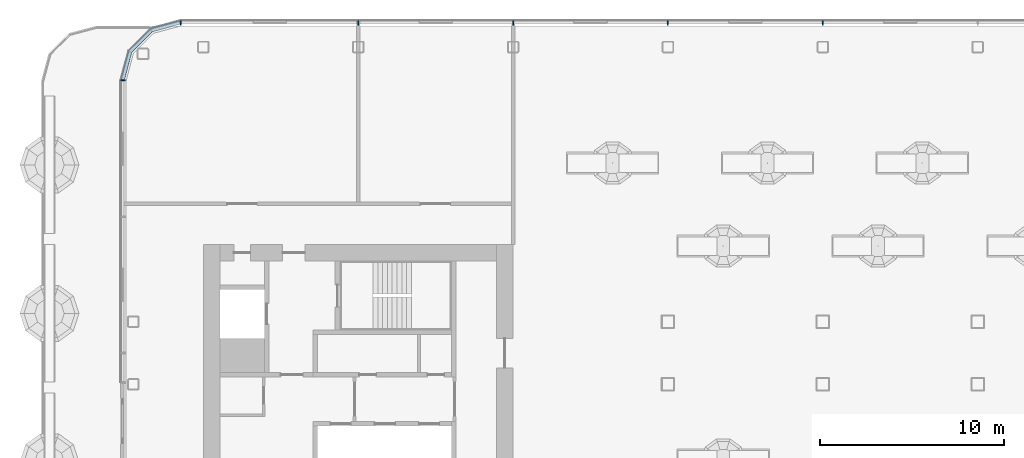
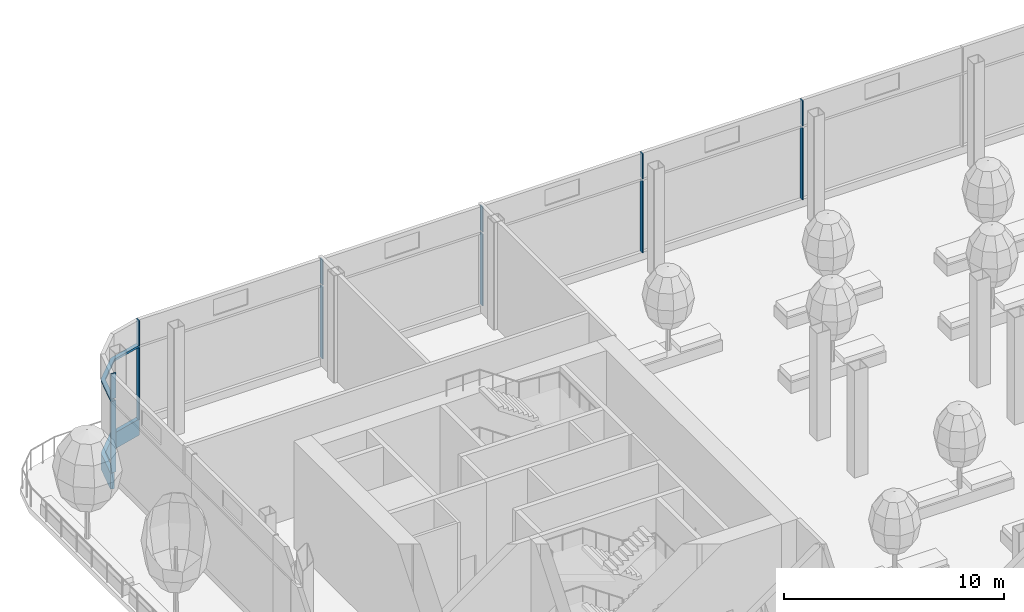
# One storey, part 5 of 41: 14 members, 3 elements without a shape of their own.
"""IFC4 building model written with IfcOpenShell, lengths in metres."""

from ifc_helpers import new_model, si_unit, direction, frame, origin, origin_2d, place, context, subcontext, project, spatial, polyline, rectangle, outline, extrude, material, layer, layer_set, material_profile, profile_set, type_object, element, aggregate, save


model = new_model("IFC4")

# Units and contexts
model_context = context("Model", 3, precision=1e-05, world=origin(), true_north=direction((0.0, 1.0)))
body_context = subcontext(model_context, "Body", "Model", "MODEL_VIEW")
ifc_project = project(units=[si_unit("LENGTHUNIT", "METRE"), si_unit("AREAUNIT", "SQUARE_METRE"), si_unit("VOLUMEUNIT", "CUBIC_METRE"), si_unit("PLANEANGLEUNIT", "RADIAN"), si_unit("MASSUNIT", "GRAM", prefix="KILO")], contexts=[model_context])

# Site, building, storey
site_placement = place(None, origin())
site = spatial("IfcSite", under=ifc_project, at=site_placement, CompositionType="ELEMENT")
building_placement = place(site_placement, origin())
building = spatial("IfcBuilding", under=site, at=building_placement, Name="Hakoniwa Tower and Hamabe Station Hall", CompositionType="ELEMENT")
storey_placement = place(building_placement, frame((0.0, 0.0, 180.199951171875)))
storey = spatial("IfcBuildingStorey", under=building, at=storey_placement, Name="L51", CompositionType="ELEMENT", Elevation=180.199951171875)

# Curtain wall, members
ifc_material_1 = material(Name="Dark low-e laminated glass", Category="glass")
ifc_layer = layer(ifc_material_1, 0.199951171875)
ifc_layer_set = layer_set([ifc_layer], Name="CW-2 SKY GARDEN")
curtain_wall_type = type_object("IfcCurtainWallType", Name="CW-2 SKY GARDEN", PredefinedType="NOTDEFINED", material=ifc_layer_set)
curtain_wall_1_placement = place(storey_placement, origin())
curtain_wall_1 = element("IfcCurtainWall", 1, at=curtain_wall_1_placement, inside=storey, type_object=curtain_wall_type, Name="CW-2 curtain wall", PredefinedType="NOTDEFINED")
ifc_material_2 = material(Name="Aluminium 6063-T5 black anodised", Category="aluminium")
ifc_material_profile_1 = material_profile(ifc_material_2, rectangle(XDim=0.199951171875, YDim=0.1201171875, at=origin_2d()), Name="CW MID TRANSOM 120X200")
ifc_profile_set_1 = profile_set([ifc_material_profile_1], Name="Aluminium 6063-T5 black anodised")
member_type_1 = type_object("IfcMemberType", Name="CW MID TRANSOM 120X200", PredefinedType="USERDEFINED", material=ifc_profile_set_1)
member_1_placement = place(storey_placement, frame((0.0, 0.0, 4.330078125)))
member_1 = element("IfcMember", 2, at=member_1_placement, type_object=member_type_1, Name="CW-2 transom", ObjectType="TRANSOM", PredefinedType="USERDEFINED", context=body_context, shape_type="SweptSolid", body=[
    extrude(outline(polyline([(-34.839599609375, 20.550048828125), (-36.455322265625, 20.116943359375), (-37.6669921875, 18.9052734375), (-38.10009765625, 17.28955078125), (-37.90673828125, 17.23779296875), (-37.48779296875, 18.8017578125), (-36.351806640625, 19.937744140625), (-34.787841796875, 20.35693359375), (-34.839599609375, 20.550048828125)])), origin(), (0.0, 0.0, 1.0), 0.119873046875),
])
ifc_material_3 = material(Name="Aluminium 6063-T5 black anodised", Category="aluminium")
ifc_material_profile_2 = material_profile(ifc_material_3, rectangle(XDim=0.199951171875, YDim=0.89990234375, at=origin_2d()), Name="CW SLAB-EDGE BAND 900X200")
ifc_profile_set_2 = profile_set([ifc_material_profile_2], Name="Aluminium 6063-T5 black anodised")
member_type_2 = type_object("IfcMemberType", Name="CW SLAB-EDGE BAND 900X200", PredefinedType="USERDEFINED", material=ifc_profile_set_2)
member_2_placement = place(storey_placement, frame((0.0, 0.0, -0.550048828125)))
member_2 = element("IfcMember", 3, at=member_2_placement, type_object=member_type_2, Name="CW-2 transom", ObjectType="TRANSOM", PredefinedType="USERDEFINED", context=body_context, shape_type="SweptSolid", body=[
    extrude(outline(polyline([(-34.839599609375, 20.550048828125), (-36.455322265625, 20.116943359375), (-37.6669921875, 18.9052734375), (-38.10009765625, 17.28955078125), (-37.90673828125, 17.23779296875), (-37.48779296875, 18.8017578125), (-36.351806640625, 19.937744140625), (-34.787841796875, 20.35693359375), (-34.839599609375, 20.550048828125)])), origin(), (0.0, 0.0, 1.0), 0.900146484375),
])
aggregate(curtain_wall_1, [member_2, member_1])

curtain_wall_2_placement = place(storey_placement, origin())
curtain_wall_2 = element("IfcCurtainWall", 4, at=curtain_wall_2_placement, inside=storey, type_object=curtain_wall_type, Name="CW-2 curtain wall", PredefinedType="NOTDEFINED")
ifc_material_4 = material(Name="Aluminium 6063-T5 black anodised", Category="aluminium")
ifc_material_profile_3 = material_profile(ifc_material_4, rectangle(XDim=0.06005859375, YDim=0.239990234375, at=origin_2d()), Name="CW-2 MULLION 60X240")
ifc_profile_set_3 = profile_set([ifc_material_profile_3], Name="Aluminium 6063-T5 black anodised")
member_type_3 = type_object("IfcMemberType", Name="CW-2 MULLION 60X240", PredefinedType="MULLION", material=ifc_profile_set_3)
member_3_placement = place(storey_placement, frame((0.0, 20.402099609375, 0.35009765625), z_axis=(0.0, 0.0, 1.0), x_axis=(-1.0, 0.0, 0.0)))
member_3 = element("IfcMember", 5, at=member_3_placement, type_object=member_type_3, Name="CW-2 mullion", PredefinedType="MULLION", context=body_context, shape_type="SweptSolid", body=[
    extrude(rectangle(XDim=0.06005859375, YDim=0.239990234375, at=origin_2d()), origin(), (0.0, 0.0, 1.0), 3.97998046875),
])
member_4_placement = place(storey_placement, frame((0.0, 20.402099609375, 4.449951171875), z_axis=(0.0, 0.0, 1.0), x_axis=(-1.0, 0.0, 0.0)))
member_4 = element("IfcMember", 6, at=member_4_placement, type_object=member_type_3, Name="CW-2 mullion", PredefinedType="MULLION", context=body_context, shape_type="SweptSolid", body=[
    extrude(rectangle(XDim=0.06005859375, YDim=0.239990234375, at=origin_2d()), origin(), (0.0, 0.0, 1.0), 1.400146484375),
])
member_5_placement = place(storey_placement, frame((-8.39990234375, 20.402099609375, 0.35009765625), z_axis=(0.0, 0.0, 1.0), x_axis=(-1.0, 0.0, 0.0)))
member_5 = element("IfcMember", 7, at=member_5_placement, type_object=member_type_3, Name="CW-2 mullion", PredefinedType="MULLION", context=body_context, shape_type="SweptSolid", body=[
    extrude(rectangle(XDim=0.06005859375, YDim=0.239990234375, at=origin_2d()), origin(), (0.0, 0.0, 1.0), 3.97998046875),
])
member_6_placement = place(storey_placement, frame((-8.39990234375, 20.402099609375, 4.449951171875), z_axis=(0.0, 0.0, 1.0), x_axis=(-1.0, 0.0, 0.0)))
member_6 = element("IfcMember", 8, at=member_6_placement, type_object=member_type_3, Name="CW-2 mullion", PredefinedType="MULLION", context=body_context, shape_type="SweptSolid", body=[
    extrude(rectangle(XDim=0.06005859375, YDim=0.239990234375, at=origin_2d()), origin(), (0.0, 0.0, 1.0), 1.400146484375),
])
member_7_placement = place(storey_placement, frame((-16.800048828125, 20.402099609375, 0.35009765625), z_axis=(0.0, 0.0, 1.0), x_axis=(-1.0, 0.0, 0.0)))
member_7 = element("IfcMember", 9, at=member_7_placement, type_object=member_type_3, Name="CW-2 mullion", PredefinedType="MULLION", context=body_context, shape_type="SweptSolid", body=[
    extrude(rectangle(XDim=0.06005859375, YDim=0.239990234375, at=origin_2d()), origin(), (0.0, 0.0, 1.0), 3.97998046875),
])
member_8_placement = place(storey_placement, frame((-16.800048828125, 20.402099609375, 4.449951171875), z_axis=(0.0, 0.0, 1.0), x_axis=(-1.0, 0.0, 0.0)))
member_8 = element("IfcMember", 10, at=member_8_placement, type_object=member_type_3, Name="CW-2 mullion", PredefinedType="MULLION", context=body_context, shape_type="SweptSolid", body=[
    extrude(rectangle(XDim=0.06005859375, YDim=0.239990234375, at=origin_2d()), origin(), (0.0, 0.0, 1.0), 1.400146484375),
])
member_9_placement = place(storey_placement, frame((-25.199951171875, 20.402099609375, 0.35009765625), z_axis=(0.0, 0.0, 1.0), x_axis=(-1.0, 0.0, 0.0)))
member_9 = element("IfcMember", 11, at=member_9_placement, type_object=member_type_3, Name="CW-2 mullion", PredefinedType="MULLION", context=body_context, shape_type="SweptSolid", body=[
    extrude(rectangle(XDim=0.06005859375, YDim=0.239990234375, at=origin_2d()), origin(), (0.0, 0.0, 1.0), 3.97998046875),
])
member_10_placement = place(storey_placement, frame((-25.199951171875, 20.402099609375, 4.449951171875), z_axis=(0.0, 0.0, 1.0), x_axis=(-1.0, 0.0, 0.0)))
member_10 = element("IfcMember", 12, at=member_10_placement, type_object=member_type_3, Name="CW-2 mullion", PredefinedType="MULLION", context=body_context, shape_type="SweptSolid", body=[
    extrude(rectangle(XDim=0.06005859375, YDim=0.239990234375, at=origin_2d()), origin(), (0.0, 0.0, 1.0), 1.400146484375),
])
member_11_placement = place(storey_placement, frame((-34.839599609375, 20.402099609375, 0.35009765625), z_axis=(0.0, 0.0, 1.0), x_axis=(-1.0, 0.0, 0.0)))
member_11 = element("IfcMember", 13, at=member_11_placement, type_object=member_type_3, Name="CW-2 mullion", PredefinedType="MULLION", context=body_context, shape_type="SweptSolid", body=[
    extrude(rectangle(XDim=0.06005859375, YDim=0.239990234375, at=origin_2d()), origin(), (0.0, 0.0, 1.0), 3.97998046875),
])
member_12_placement = place(storey_placement, frame((-34.839599609375, 20.402099609375, 4.449951171875), z_axis=(0.0, 0.0, 1.0), x_axis=(-1.0, 0.0, 0.0)))
member_12 = element("IfcMember", 14, at=member_12_placement, type_object=member_type_3, Name="CW-2 mullion", PredefinedType="MULLION", context=body_context, shape_type="SweptSolid", body=[
    extrude(rectangle(XDim=0.06005859375, YDim=0.239990234375, at=origin_2d()), origin(), (0.0, 0.0, 1.0), 1.400146484375),
])
aggregate(curtain_wall_2, [member_3, member_4, member_5, member_6, member_7, member_8, member_9, member_10, member_11, member_12])

curtain_wall_3_placement = place(storey_placement, origin())
curtain_wall_3 = element("IfcCurtainWall", 15, at=curtain_wall_3_placement, inside=storey, type_object=curtain_wall_type, Name="CW-2 curtain wall", PredefinedType="NOTDEFINED")
member_13_placement = place(storey_placement, frame((-37.951904296875, 17.28955078125, 0.35009765625), z_axis=(0.0, 0.0, 1.0), x_axis=(0.0, -1.0, 0.0)))
member_13 = element("IfcMember", 16, at=member_13_placement, type_object=member_type_3, Name="CW-2 mullion", PredefinedType="MULLION", context=body_context, shape_type="SweptSolid", body=[
    extrude(rectangle(XDim=0.06005859375, YDim=0.239990234375, at=origin_2d()), origin(), (0.0, 0.0, 1.0), 3.97998046875),
])
member_14_placement = place(storey_placement, frame((-37.951904296875, 17.28955078125, 4.449951171875), z_axis=(0.0, 0.0, 1.0), x_axis=(0.0, -1.0, 0.0)))
member_14 = element("IfcMember", 17, at=member_14_placement, type_object=member_type_3, Name="CW-2 mullion", PredefinedType="MULLION", context=body_context, shape_type="SweptSolid", body=[
    extrude(rectangle(XDim=0.06005859375, YDim=0.239990234375, at=origin_2d()), origin(), (0.0, 0.0, 1.0), 1.400146484375),
])
aggregate(curtain_wall_3, [member_13, member_14])

save(model, "model.ifc")
